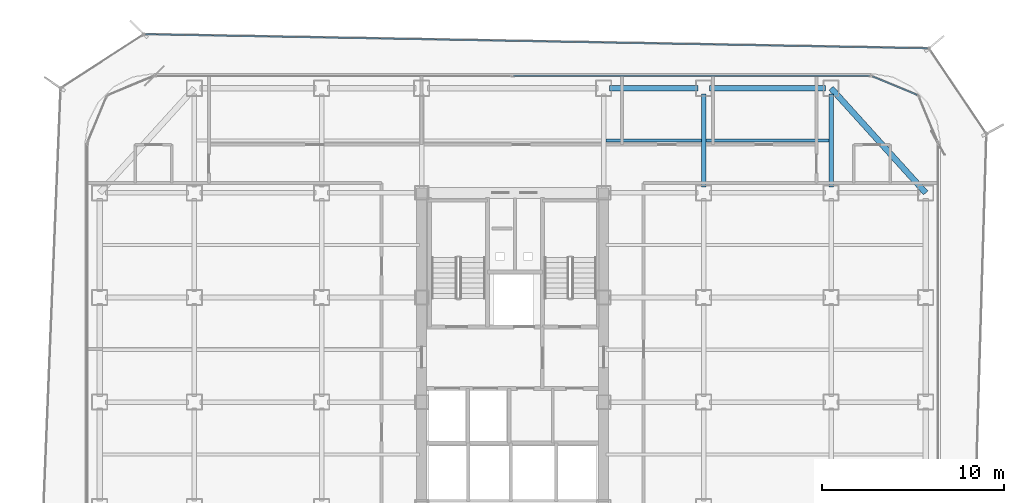
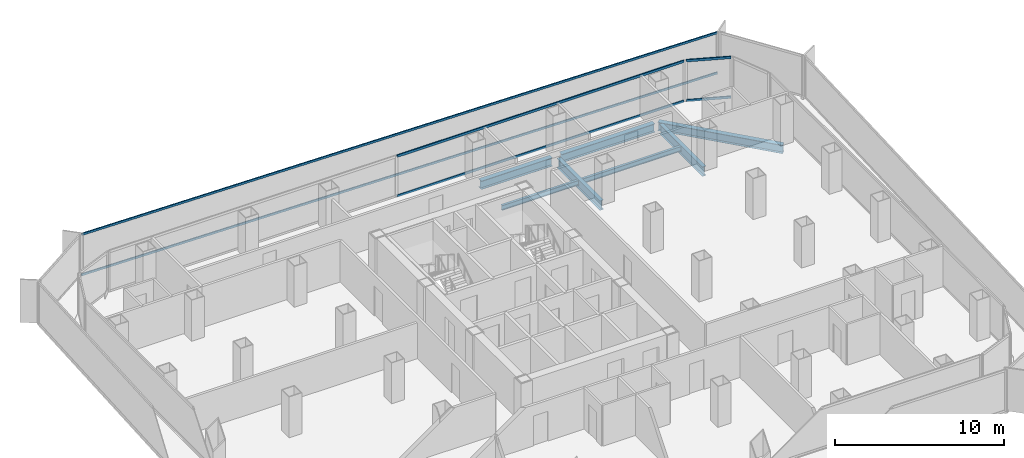
# One storey, part 13 of 21: 7 beams, 6 members, 3 elements without a shape of their own.
"""IFC4 building model written with IfcOpenShell, lengths in metres."""

from ifc_helpers import new_model, si_unit, direction, frame, origin, origin_2d, place, context, subcontext, project, spatial, hollow_rectangle, i_section, extrude, source, transform, mapped, material, layer, layer_set, material_profile, profile_set, type_object, element, aggregate, save


model = new_model("IFC4")

# Units and contexts
model_context = context("Model", 3, precision=1e-05, world=origin(), true_north=direction((0.0, 1.0)))
body_context = subcontext(model_context, "Body", "Model", "MODEL_VIEW")
ifc_project = project(units=[si_unit("LENGTHUNIT", "METRE"), si_unit("AREAUNIT", "SQUARE_METRE"), si_unit("VOLUMEUNIT", "CUBIC_METRE"), si_unit("PLANEANGLEUNIT", "RADIAN"), si_unit("MASSUNIT", "GRAM", prefix="KILO")], contexts=[model_context])

# Site, building, storey
site_placement = place(None, origin())
site = spatial("IfcSite", under=ifc_project, at=site_placement, CompositionType="ELEMENT")
building_placement = place(site_placement, origin())
building = spatial("IfcBuilding", under=site, at=building_placement, Name="Kolveth Station Tower", CompositionType="ELEMENT")
storey_placement = place(building_placement, frame((0.0, 0.0, 92.699951171875)))
storey = spatial("IfcBuildingStorey", under=building, at=storey_placement, Name="L24", CompositionType="ELEMENT", Elevation=92.699951171875)

# Beams
ifc_material_1 = material(Name="Steel S355", Category="steel")
ifc_material_profile_1 = material_profile(ifc_material_1, i_section(OverallWidth=0.323974609375, OverallDepth=0.611083984375, WebThickness=0.0126953125, FlangeThickness=0.01904296875, at=origin_2d()), Name="W610x155")
ifc_profile_set_1 = profile_set([ifc_material_profile_1], Name="Steel S355")
beam_type_1 = type_object("IfcBeamType", Name="Beam_SP2", PredefinedType="SPANDREL", material=ifc_profile_set_1)
shared_shape_1 = source(origin(), body_context, "Body", "SweptSolid", [
    extrude(i_section(OverallWidth=0.323974609375, OverallDepth=0.611083984375, WebThickness=0.0126953125, FlangeThickness=0.01904296875, at=origin_2d()), origin(), (0.0, 0.0, 1.0), 6.35986328125),
])
beam_1_placement = place(storey_placement, frame((34.320068359375, 34.5, -0.555419921875), z_axis=(1.0, 0.0, 0.0), x_axis=(0.0, 1.0, 0.0)))
element("IfcBeam", 1, at=beam_1_placement, inside=storey, type_object=beam_type_1, Name="L24 Perimeter Spandrel BM-L24-PN-5", PredefinedType="SPANDREL", context=body_context, shape_type="MappedRepresentation", body=[
    mapped(shared_shape_1, transform((0.0, 0.0, 0.0), x_axis=(1.0, 0.0, 0.0), y_axis=(0.0, 1.0, 0.0), z_axis=(0.0, 0.0, 1.0), scale=1.0)),
])
shared_shape_2 = source(origin(), body_context, "Body", "SweptSolid", [
    extrude(i_section(OverallWidth=0.323974609375, OverallDepth=0.611083984375, WebThickness=0.0126953125, FlangeThickness=0.01904296875, at=origin_2d()), origin(), (0.0, 0.0, 1.0), 4.85986328125),
])
beam_2_placement = place(storey_placement, frame((28.820068359375, 34.5, -0.555419921875), z_axis=(1.0, 0.0, 0.0), x_axis=(0.0, 1.0, 0.0)))
element("IfcBeam", 2, at=beam_2_placement, inside=storey, type_object=beam_type_1, Name="L24 Perimeter Spandrel BM-L24-PN-4", PredefinedType="SPANDREL", context=body_context, shape_type="MappedRepresentation", body=[
    mapped(shared_shape_2, transform((0.0, 0.0, 0.0), x_axis=(1.0, 0.0, 0.0), y_axis=(0.0, 1.0, 0.0), z_axis=(0.0, 0.0, 1.0), scale=1.0)),
])
shared_shape_3 = source(origin(), body_context, "Body", "SweptSolid", [
    extrude(i_section(OverallWidth=0.323974609375, OverallDepth=0.611083984375, WebThickness=0.0126953125, FlangeThickness=0.01904296875, at=origin_2d()), origin(), (0.0, 0.0, 1.0), 7.75244140625),
])
beam_3_placement = place(storey_placement, frame((46.199951171875, 28.75, -0.555419921875), z_axis=(-0.670740965555, 0.74169168603, 0.0), x_axis=(-0.74169168603, -0.670740965555, 0.0)))
element("IfcBeam", 3, at=beam_3_placement, inside=storey, type_object=beam_type_1, Name="L24 Corner Edge Girder BM-L24-CNR-NE", PredefinedType="SPANDREL", context=body_context, shape_type="MappedRepresentation", body=[
    mapped(shared_shape_3, transform((0.0, 0.0, 0.0), x_axis=(1.0, 0.0, 0.0), y_axis=(0.0, 1.0, 0.0), z_axis=(0.0, 0.0, 1.0), scale=1.0)),
])
ifc_material_profile_2 = material_profile(ifc_material_1, i_section(OverallWidth=0.25390625, OverallDepth=0.68798828125, WebThickness=0.01318359375, FlangeThickness=0.02099609375, at=origin_2d()), Name="W690x152")
ifc_profile_set_2 = profile_set([ifc_material_profile_2], Name="Steel S355")
beam_type_2 = type_object("IfcBeamType", Name="Beam_B4", PredefinedType="BEAM", material=ifc_profile_set_2)
shared_shape_4 = source(origin(), body_context, "Body", "SweptSolid", [
    extrude(i_section(OverallWidth=0.25390625, OverallDepth=0.68798828125, WebThickness=0.01318359375, FlangeThickness=0.02099609375, at=origin_2d()), origin(), (0.0, 0.0, 1.0), 5.10986328125),
])
for number, where, z_axis, x_axis, name in (
    (4, (34.0, 29.070068359375, -0.593994140625), (0.0, 1.0, 0.0), (-1.0, 0.0, 0.0), "L24 Primary Girder BM-L24-GX340-6"),
    (5, (41.0, 29.070068359375, -0.593994140625), (0.0, 1.0, 0.0), (-1.0, 0.0, 0.0), "L24 Primary Girder BM-L24-GX410-6"),
):
    element("IfcBeam", number, at=place(storey_placement, frame(where, z_axis=z_axis, x_axis=x_axis)), inside=storey, type_object=beam_type_2, Name=name, PredefinedType="BEAM", context=body_context, shape_type="MappedRepresentation", body=[
        mapped(shared_shape_4, transform((0.0, 0.0, 0.0), x_axis=(1.0, 0.0, 0.0), y_axis=(0.0, 1.0, 0.0), z_axis=(0.0, 0.0, 1.0), scale=1.0)),
    ])
ifc_material_profile_3 = material_profile(ifc_material_1, i_section(OverallWidth=0.1708984375, OverallDepth=0.35205078125, WebThickness=0.0068359375, FlangeThickness=0.009765625, at=origin_2d()), Name="W360x44")
ifc_profile_set_3 = profile_set([ifc_material_profile_3], Name="Steel S355")
beam_type_3 = type_object("IfcBeamType", Name="Beam_J2", PredefinedType="JOIST", material=ifc_profile_set_3)
shared_shape_5 = source(origin(), body_context, "Body", "SweptSolid", [
    extrude(i_section(OverallWidth=0.1708984375, OverallDepth=0.35205078125, WebThickness=0.0068359375, FlangeThickness=0.009765625, at=origin_2d()), origin(), (0.0, 0.0, 1.0), 6.75),
])
beam_4_placement = place(storey_placement, frame((34.125, 31.625, -0.426025390625), z_axis=(1.0, 0.0, 0.0), x_axis=(0.0, 1.0, 0.0)))
element("IfcBeam", 6, at=beam_4_placement, inside=storey, type_object=beam_type_3, Name="L24 Secondary Joist JST-L24-6-6", PredefinedType="JOIST", context=body_context, shape_type="MappedRepresentation", body=[
    mapped(shared_shape_5, transform((0.0, 0.0, 0.0), x_axis=(1.0, 0.0, 0.0), y_axis=(0.0, 1.0, 0.0), z_axis=(0.0, 0.0, 1.0), scale=1.0)),
])
shared_shape_6 = source(origin(), body_context, "Body", "SweptSolid", [
    extrude(i_section(OverallWidth=0.1708984375, OverallDepth=0.35205078125, WebThickness=0.0068359375, FlangeThickness=0.009765625, at=origin_2d()), origin(), (0.0, 0.0, 1.0), 5.25),
])
beam_5_placement = place(storey_placement, frame((28.625, 31.625, -0.426025390625), z_axis=(1.0, 0.0, 0.0), x_axis=(0.0, 1.0, 0.0)))
element("IfcBeam", 7, at=beam_5_placement, inside=storey, type_object=beam_type_3, Name="L24 Secondary Joist JST-L24-5-6", PredefinedType="JOIST", context=body_context, shape_type="MappedRepresentation", body=[
    mapped(shared_shape_6, transform((0.0, 0.0, 0.0), x_axis=(1.0, 0.0, 0.0), y_axis=(0.0, 1.0, 0.0), z_axis=(0.0, 0.0, 1.0), scale=1.0)),
])

# Curtain wall, members
ifc_material_2 = material(Name="Aluminium 6063-T6 and low-E dark glass", Category="aluminium")
ifc_layer_1 = layer(ifc_material_2, 0.18994140625)
ifc_layer_set_1 = layer_set([ifc_layer_1], Name="Aluminium 6063-T6 and low-E dark glass")
curtain_wall_type_1 = type_object("IfcCurtainWallType", Name="CurtainWall_CW-Z2", PredefinedType="NOTDEFINED", material=ifc_layer_set_1)
curtain_wall_1_placement = place(storey_placement, origin())
curtain_wall_1 = element("IfcCurtainWall", 8, at=curtain_wall_1_placement, inside=storey, type_object=curtain_wall_type_1, Name="L24 Inner Thermal Curtain Wall 5", PredefinedType="NOTDEFINED")
ifc_material_3 = material(Name="Black anodized aluminium 6063-T6", Category="aluminium")
ifc_material_profile_4 = material_profile(ifc_material_3, hollow_rectangle(XDim=0.080078125, YDim=0.169921875, WallThickness=0.0048828125, at=origin_2d()), Name="ALU-80x170x5")
ifc_profile_set_4 = profile_set([ifc_material_profile_4], Name="Black anodized aluminium 6063-T6")
member_type_1 = type_object("IfcMemberType", Name="Transom_TR2", PredefinedType="USERDEFINED", material=ifc_profile_set_4)
shared_shape_7 = source(origin(), body_context, "Body", "SweptSolid", [
    extrude(hollow_rectangle(XDim=0.080078125, YDim=0.169921875, WallThickness=0.0048828125, at=origin_2d()), origin(), (0.0, 0.0, 1.0), 2.656494140625),
])
member_1_placement = place(storey_placement, frame((45.728271484375, 34.1328125, 0.0400390625), z_axis=(-0.923882422403, 0.382676455475, 0.0), x_axis=(-0.382676455475, -0.923882422403, 0.0)))
member_1 = element("IfcMember", 9, at=member_1_placement, type_object=member_type_1, Name="CW-Z2 transom 1.1", ObjectType="TRANSOM", PredefinedType="USERDEFINED", context=body_context, shape_type="MappedRepresentation", body=[
    mapped(shared_shape_7, transform((0.0, 0.0, 0.0), x_axis=(1.0, 0.0, 0.0), y_axis=(0.0, 1.0, 0.0), z_axis=(0.0, 0.0, 1.0), scale=1.0)),
])
member_2_placement = place(storey_placement, frame((45.728271484375, 34.1328125, 2.91015625), z_axis=(-0.923882422403, 0.382676455475, 0.0), x_axis=(-0.382676455475, -0.923882422403, 0.0)))
member_2 = element("IfcMember", 10, at=member_2_placement, type_object=member_type_1, Name="CW-Z2 transom 1.2", ObjectType="TRANSOM", PredefinedType="USERDEFINED", context=body_context, shape_type="MappedRepresentation", body=[
    mapped(shared_shape_7, transform((0.0, 0.0, 0.0), x_axis=(1.0, 0.0, 0.0), y_axis=(0.0, 1.0, 0.0), z_axis=(0.0, 0.0, 1.0), scale=1.0)),
])
aggregate(curtain_wall_1, [member_1, member_2])

curtain_wall_2_placement = place(storey_placement, origin())
curtain_wall_2 = element("IfcCurtainWall", 11, at=curtain_wall_2_placement, inside=storey, type_object=curtain_wall_type_1, Name="L24 Inner Thermal Curtain Wall 6", PredefinedType="NOTDEFINED")
shared_shape_8 = source(origin(), body_context, "Body", "SweptSolid", [
    extrude(hollow_rectangle(XDim=0.080078125, YDim=0.169921875, WallThickness=0.0048828125, at=origin_2d()), origin(), (0.0, 0.0, 1.0), 19.580078125),
])
member_3_placement = place(storey_placement, frame((43.1201171875, 35.179931640625, 0.0400390625), z_axis=(-1.0, 0.0, 0.0), x_axis=(0.0, -1.0, 0.0)))
member_3 = element("IfcMember", 12, at=member_3_placement, type_object=member_type_1, Name="CW-Z2 transom 1.1", ObjectType="TRANSOM", PredefinedType="USERDEFINED", context=body_context, shape_type="MappedRepresentation", body=[
    mapped(shared_shape_8, transform((0.0, 0.0, 0.0), x_axis=(1.0, 0.0, 0.0), y_axis=(0.0, 1.0, 0.0), z_axis=(0.0, 0.0, 1.0), scale=1.0)),
])
member_4_placement = place(storey_placement, frame((43.1201171875, 35.179931640625, 2.91015625), z_axis=(-1.0, 0.0, 0.0), x_axis=(0.0, -1.0, 0.0)))
member_4 = element("IfcMember", 13, at=member_4_placement, type_object=member_type_1, Name="CW-Z2 transom 1.2", ObjectType="TRANSOM", PredefinedType="USERDEFINED", context=body_context, shape_type="MappedRepresentation", body=[
    mapped(shared_shape_8, transform((0.0, 0.0, 0.0), x_axis=(1.0, 0.0, 0.0), y_axis=(0.0, 1.0, 0.0), z_axis=(0.0, 0.0, 1.0), scale=1.0)),
])
aggregate(curtain_wall_2, [member_3, member_4])

ifc_material_4 = material(Name="Black anodized aluminium 6063-T6 and dark solar glass", Category="aluminium")
ifc_layer_2 = layer(ifc_material_4, 0.159912109375)
ifc_layer_set_2 = layer_set([ifc_layer_2], Name="Black anodized aluminium 6063-T6 and dark solar glass")
curtain_wall_type_2 = type_object("IfcCurtainWallType", Name="OUTER SKIN CW-OS", PredefinedType="NOTDEFINED", material=ifc_layer_set_2)
curtain_wall_3_placement = place(storey_placement, origin())
curtain_wall_3 = element("IfcCurtainWall", 14, at=curtain_wall_3_placement, inside=storey, type_object=curtain_wall_type_2, Name="L24 Outer Ventilated Skin Curtain Wall 4", PredefinedType="NOTDEFINED")
ifc_material_profile_5 = material_profile(ifc_material_3, hollow_rectangle(XDim=0.080078125, YDim=0.14990234375, WallThickness=0.0048828125, at=origin_2d()), Name="ALU-80x150x5")
ifc_profile_set_5 = profile_set([ifc_material_profile_5], Name="Black anodized aluminium 6063-T6")
member_type_2 = type_object("IfcMemberType", Name="Transom_TR-OS", PredefinedType="USERDEFINED", material=ifc_profile_set_5)
shared_shape_9 = source(origin(), body_context, "Body", "SweptSolid", [
    extrude(hollow_rectangle(XDim=0.080078125, YDim=0.14990234375, WallThickness=0.0048828125, at=origin_2d()), origin(), (0.0, 0.0, 1.0), 42.969970703125),
])
member_5_placement = place(storey_placement, frame((46.28759765625, 36.694091796875, 0.0400390625), z_axis=(-0.999838813993, 0.017953997694, 0.0), x_axis=(-0.017953997694, -0.999838813993, 0.0)))
member_5 = element("IfcMember", 15, at=member_5_placement, type_object=member_type_2, Name="CW-OS transom 1.1", ObjectType="TRANSOM", PredefinedType="USERDEFINED", context=body_context, shape_type="MappedRepresentation", body=[
    mapped(shared_shape_9, transform((0.0, 0.0, 0.0), x_axis=(1.0, 0.0, 0.0), y_axis=(0.0, 1.0, 0.0), z_axis=(0.0, 0.0, 1.0), scale=1.0)),
])
member_6_placement = place(storey_placement, frame((46.28759765625, 36.694091796875, 2.949951171875), z_axis=(-0.999838813993, 0.017953997694, 0.0), x_axis=(-0.017953997694, -0.999838813993, 0.0)))
member_6 = element("IfcMember", 16, at=member_6_placement, type_object=member_type_2, Name="CW-OS transom 1.2", ObjectType="TRANSOM", PredefinedType="USERDEFINED", context=body_context, shape_type="MappedRepresentation", body=[
    mapped(shared_shape_9, transform((0.0, 0.0, 0.0), x_axis=(1.0, 0.0, 0.0), y_axis=(0.0, 1.0, 0.0), z_axis=(0.0, 0.0, 1.0), scale=1.0)),
])
aggregate(curtain_wall_3, [member_5, member_6])

save(model, "model.ifc")
